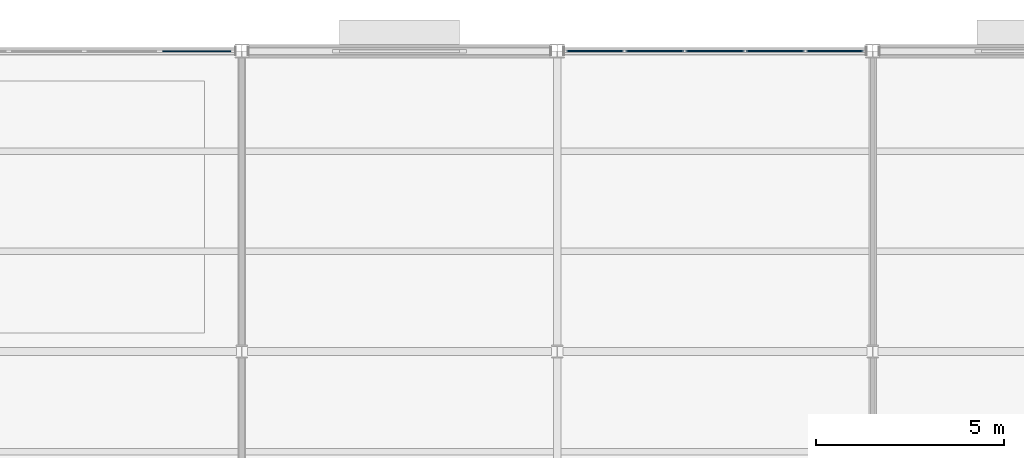
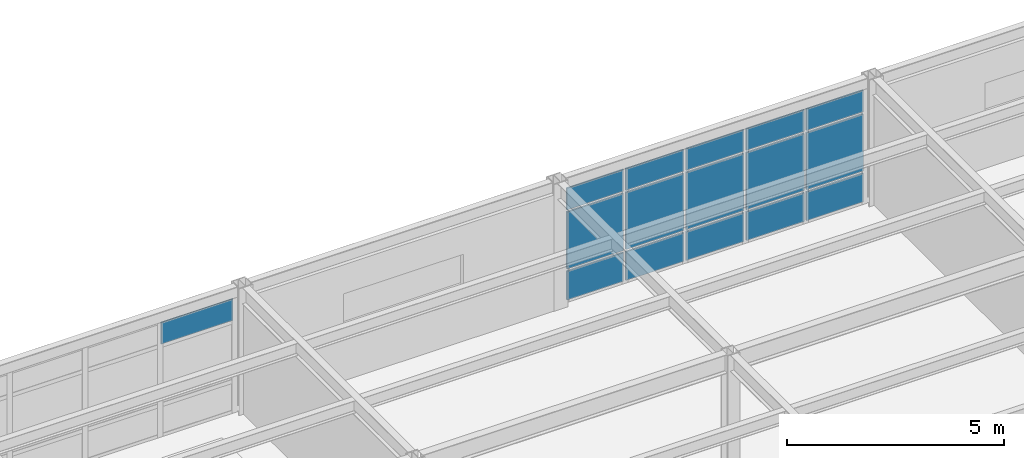
# One storey, part 44 of 96: 16 plates, 2 elements without a shape of their own.
"""IFC4 building model written with IfcOpenShell, lengths in metres."""

from ifc_helpers import new_model, si_unit, direction, frame, origin, origin_2d, place, context, subcontext, project, spatial, rectangle, extrude, material, layer, layer_set, type_object, element, aggregate, save


model = new_model("IFC4")

# Units and contexts
model_context = context("Model", 3, precision=1e-05, world=origin(), true_north=direction((0.0, 1.0)))
body_context = subcontext(model_context, "Body", "Model", "MODEL_VIEW")
ifc_project = project(units=[si_unit("LENGTHUNIT", "METRE"), si_unit("AREAUNIT", "SQUARE_METRE"), si_unit("VOLUMEUNIT", "CUBIC_METRE"), si_unit("PLANEANGLEUNIT", "RADIAN"), si_unit("MASSUNIT", "GRAM", prefix="KILO")], contexts=[model_context])

# Site, building, storey
site_placement = place(None, origin())
site = spatial("IfcSite", under=ifc_project, at=site_placement, CompositionType="ELEMENT")
building_placement = place(site_placement, origin())
building = spatial("IfcBuilding", under=site, at=building_placement, Name="Kranzveld Transit Interchange", CompositionType="ELEMENT")
storey_placement = place(building_placement, frame((0.0, 0.0, 9.52001953125)))
storey = spatial("IfcBuildingStorey", under=building, at=storey_placement, Name="L02", CompositionType="ELEMENT", Elevation=9.52001953125)

# Curtain wall, plate
ifc_material_1 = material(Name="Bronze-anodised thermally broken aluminium", Category="aluminium")
ifc_layer_1 = layer(ifc_material_1, 0.159912109375)
ifc_layer_set_1 = layer_set([ifc_layer_1], Name="Bronze-anodised thermally broken aluminium")
curtain_wall_type_1 = type_object("IfcCurtainWallType", Name="Bus Boarding Glazed Screen CW-3", PredefinedType="USERDEFINED", material=ifc_layer_set_1)
curtain_wall_1_placement = place(storey_placement, origin())
curtain_wall_1 = element("IfcCurtainWall", 1, at=curtain_wall_1_placement, inside=storey, type_object=curtain_wall_type_1, Name="L02 Curtain Wall 16/Q-17/Q", ObjectType="CURTAIN WALL", PredefinedType="USERDEFINED")
ifc_material_2 = material(Name="Solar-control double glazing", Category="glass")
ifc_layer_2 = layer(ifc_material_2, 0.031982421875)
ifc_layer_set_2 = layer_set([ifc_layer_2], Name="Solar-control double glazing")
plate_type_1 = type_object("IfcPlateType", Name="Curtain Panel Acoustic Glazing 32", PredefinedType="CURTAIN_PANEL", material=ifc_layer_set_2)
plate_1_placement = place(storey_placement, frame((133.194580078125, 112.0, 2.60009765625), z_axis=(0.0, 0.0, 1.0), x_axis=(1.0, 0.0, 0.0)))
plate_1 = element("IfcPlate", 2, at=plate_1_placement, type_object=plate_type_1, Name="CW-3 panel 4.3", PredefinedType="CURTAIN_PANEL", context=body_context, shape_type="SweptSolid", body=[
    extrude(rectangle(XDim=1.916259765625, YDim=0.031982421875, at=origin_2d()), origin(), (0.0, 0.0, 1.0), 0.610107421875),
])
aggregate(curtain_wall_1, [plate_1])

# Curtain wall, plates
ifc_material_3 = material(Name="Bronze-anodised thermally broken aluminium", Category="aluminium")
ifc_layer_3 = layer(ifc_material_3, 0.14990234375)
ifc_layer_set_3 = layer_set([ifc_layer_3], Name="Bronze-anodised thermally broken aluminium")
curtain_wall_type_2 = type_object("IfcCurtainWallType", Name="Public Passage Clerestory Screen CW-4", PredefinedType="USERDEFINED", material=ifc_layer_set_3)
curtain_wall_2_placement = place(storey_placement, origin())
curtain_wall_2 = element("IfcCurtainWall", 3, at=curtain_wall_2_placement, inside=storey, type_object=curtain_wall_type_2, Name="L02 Curtain Wall 18/Q-19/Q", ObjectType="CURTAIN WALL", PredefinedType="USERDEFINED")
ifc_material_4 = material(Name="Solar-control double glazing", Category="glass")
ifc_layer_4 = layer(ifc_material_4, 0.0419921875)
ifc_layer_set_4 = layer_set([ifc_layer_4], Name="Solar-control double glazing")
plate_type_2 = type_object("IfcPlateType", Name="Curtain Panel Laminated Glazing 42", PredefinedType="CURTAIN_PANEL", material=ifc_layer_set_4)
plate_2_placement = place(storey_placement, frame((143.804931640625, 112.0, 0.06005859375), z_axis=(0.0, 0.0, 1.0), x_axis=(1.0, 0.0, 0.0)))
plate_2 = element("IfcPlate", 4, at=plate_2_placement, type_object=plate_type_2, Name="CW-4 panel 1.1", PredefinedType="CURTAIN_PANEL", context=body_context, shape_type="SweptSolid", body=[
    extrude(rectangle(XDim=1.51513671875, YDim=0.0419921875, at=origin_2d()), origin(), (0.0, 0.0, 1.0), 0.81005859375),
])
plate_3_placement = place(storey_placement, frame((143.804931640625, 112.0, 0.9296875), z_axis=(0.0, 0.0, 1.0), x_axis=(1.0, 0.0, 0.0)))
plate_3 = element("IfcPlate", 5, at=plate_3_placement, type_object=plate_type_2, Name="CW-4 panel 1.2", PredefinedType="CURTAIN_PANEL", context=body_context, shape_type="SweptSolid", body=[
    extrude(rectangle(XDim=1.51513671875, YDim=0.0419921875, at=origin_2d()), origin(), (0.0, 0.0, 1.0), 1.610107421875),
])
plate_4_placement = place(storey_placement, frame((143.804931640625, 112.0, 2.60009765625), z_axis=(0.0, 0.0, 1.0), x_axis=(1.0, 0.0, 0.0)))
plate_4 = element("IfcPlate", 6, at=plate_4_placement, type_object=plate_type_2, Name="CW-4 panel 1.3", PredefinedType="CURTAIN_PANEL", context=body_context, shape_type="SweptSolid", body=[
    extrude(rectangle(XDim=1.51513671875, YDim=0.0419921875, at=origin_2d()), origin(), (0.0, 0.0, 1.0), 0.610107421875),
])
plate_5_placement = place(storey_placement, frame((145.39501953125, 112.0, 0.06005859375), z_axis=(0.0, 0.0, 1.0), x_axis=(1.0, 0.0, 0.0)))
plate_5 = element("IfcPlate", 7, at=plate_5_placement, type_object=plate_type_2, Name="CW-4 panel 2.1", PredefinedType="CURTAIN_PANEL", context=body_context, shape_type="SweptSolid", body=[
    extrude(rectangle(XDim=1.545166015625, YDim=0.0419921875, at=origin_2d()), origin(), (0.0, 0.0, 1.0), 0.81005859375),
])
plate_6_placement = place(storey_placement, frame((145.39501953125, 112.0, 0.9296875), z_axis=(0.0, 0.0, 1.0), x_axis=(1.0, 0.0, 0.0)))
plate_6 = element("IfcPlate", 8, at=plate_6_placement, type_object=plate_type_2, Name="CW-4 panel 2.2", PredefinedType="CURTAIN_PANEL", context=body_context, shape_type="SweptSolid", body=[
    extrude(rectangle(XDim=1.545166015625, YDim=0.0419921875, at=origin_2d()), origin(), (0.0, 0.0, 1.0), 1.610107421875),
])
plate_7_placement = place(storey_placement, frame((145.39501953125, 112.0, 2.60009765625), z_axis=(0.0, 0.0, 1.0), x_axis=(1.0, 0.0, 0.0)))
plate_7 = element("IfcPlate", 9, at=plate_7_placement, type_object=plate_type_2, Name="CW-4 panel 2.3", PredefinedType="CURTAIN_PANEL", context=body_context, shape_type="SweptSolid", body=[
    extrude(rectangle(XDim=1.545166015625, YDim=0.0419921875, at=origin_2d()), origin(), (0.0, 0.0, 1.0), 0.610107421875),
])
plate_8_placement = place(storey_placement, frame((147.0, 112.0, 0.06005859375), z_axis=(0.0, 0.0, 1.0), x_axis=(1.0, 0.0, 0.0)))
plate_8 = element("IfcPlate", 10, at=plate_8_placement, type_object=plate_type_2, Name="CW-4 panel 3.1", PredefinedType="CURTAIN_PANEL", context=body_context, shape_type="SweptSolid", body=[
    extrude(rectangle(XDim=1.545166015625, YDim=0.0419921875, at=origin_2d()), origin(), (0.0, 0.0, 1.0), 0.81005859375),
])
plate_9_placement = place(storey_placement, frame((147.0, 112.0, 0.9296875), z_axis=(0.0, 0.0, 1.0), x_axis=(1.0, 0.0, 0.0)))
plate_9 = element("IfcPlate", 11, at=plate_9_placement, type_object=plate_type_2, Name="CW-4 panel 3.2", PredefinedType="CURTAIN_PANEL", context=body_context, shape_type="SweptSolid", body=[
    extrude(rectangle(XDim=1.545166015625, YDim=0.0419921875, at=origin_2d()), origin(), (0.0, 0.0, 1.0), 1.610107421875),
])
plate_10_placement = place(storey_placement, frame((147.0, 112.0, 2.60009765625), z_axis=(0.0, 0.0, 1.0), x_axis=(1.0, 0.0, 0.0)))
plate_10 = element("IfcPlate", 12, at=plate_10_placement, type_object=plate_type_2, Name="CW-4 panel 3.3", PredefinedType="CURTAIN_PANEL", context=body_context, shape_type="SweptSolid", body=[
    extrude(rectangle(XDim=1.545166015625, YDim=0.0419921875, at=origin_2d()), origin(), (0.0, 0.0, 1.0), 0.610107421875),
])
plate_11_placement = place(storey_placement, frame((148.60498046875, 112.0, 0.06005859375), z_axis=(0.0, 0.0, 1.0), x_axis=(1.0, 0.0, 0.0)))
plate_11 = element("IfcPlate", 13, at=plate_11_placement, type_object=plate_type_2, Name="CW-4 panel 4.1", PredefinedType="CURTAIN_PANEL", context=body_context, shape_type="SweptSolid", body=[
    extrude(rectangle(XDim=1.545166015625, YDim=0.0419921875, at=origin_2d()), origin(), (0.0, 0.0, 1.0), 0.81005859375),
])
plate_12_placement = place(storey_placement, frame((148.60498046875, 112.0, 0.9296875), z_axis=(0.0, 0.0, 1.0), x_axis=(1.0, 0.0, 0.0)))
plate_12 = element("IfcPlate", 14, at=plate_12_placement, type_object=plate_type_2, Name="CW-4 panel 4.2", PredefinedType="CURTAIN_PANEL", context=body_context, shape_type="SweptSolid", body=[
    extrude(rectangle(XDim=1.545166015625, YDim=0.0419921875, at=origin_2d()), origin(), (0.0, 0.0, 1.0), 1.610107421875),
])
plate_13_placement = place(storey_placement, frame((148.60498046875, 112.0, 2.60009765625), z_axis=(0.0, 0.0, 1.0), x_axis=(1.0, 0.0, 0.0)))
plate_13 = element("IfcPlate", 15, at=plate_13_placement, type_object=plate_type_2, Name="CW-4 panel 4.3", PredefinedType="CURTAIN_PANEL", context=body_context, shape_type="SweptSolid", body=[
    extrude(rectangle(XDim=1.545166015625, YDim=0.0419921875, at=origin_2d()), origin(), (0.0, 0.0, 1.0), 0.610107421875),
])
plate_14_placement = place(storey_placement, frame((150.195068359375, 112.0, 0.06005859375), z_axis=(0.0, 0.0, 1.0), x_axis=(1.0, 0.0, 0.0)))
plate_14 = element("IfcPlate", 16, at=plate_14_placement, type_object=plate_type_2, Name="CW-4 panel 5.1", PredefinedType="CURTAIN_PANEL", context=body_context, shape_type="SweptSolid", body=[
    extrude(rectangle(XDim=1.51513671875, YDim=0.0419921875, at=origin_2d()), origin(), (0.0, 0.0, 1.0), 0.81005859375),
])
plate_15_placement = place(storey_placement, frame((150.195068359375, 112.0, 0.9296875), z_axis=(0.0, 0.0, 1.0), x_axis=(1.0, 0.0, 0.0)))
plate_15 = element("IfcPlate", 17, at=plate_15_placement, type_object=plate_type_2, Name="CW-4 panel 5.2", PredefinedType="CURTAIN_PANEL", context=body_context, shape_type="SweptSolid", body=[
    extrude(rectangle(XDim=1.51513671875, YDim=0.0419921875, at=origin_2d()), origin(), (0.0, 0.0, 1.0), 1.610107421875),
])
plate_16_placement = place(storey_placement, frame((150.195068359375, 112.0, 2.60009765625), z_axis=(0.0, 0.0, 1.0), x_axis=(1.0, 0.0, 0.0)))
plate_16 = element("IfcPlate", 18, at=plate_16_placement, type_object=plate_type_2, Name="CW-4 panel 5.3", PredefinedType="CURTAIN_PANEL", context=body_context, shape_type="SweptSolid", body=[
    extrude(rectangle(XDim=1.51513671875, YDim=0.0419921875, at=origin_2d()), origin(), (0.0, 0.0, 1.0), 0.610107421875),
])
aggregate(curtain_wall_2, [plate_2, plate_3, plate_4, plate_5, plate_6, plate_7, plate_8, plate_9, plate_10, plate_11, plate_12, plate_13, plate_14, plate_15, plate_16])

save(model, "model.ifc")
